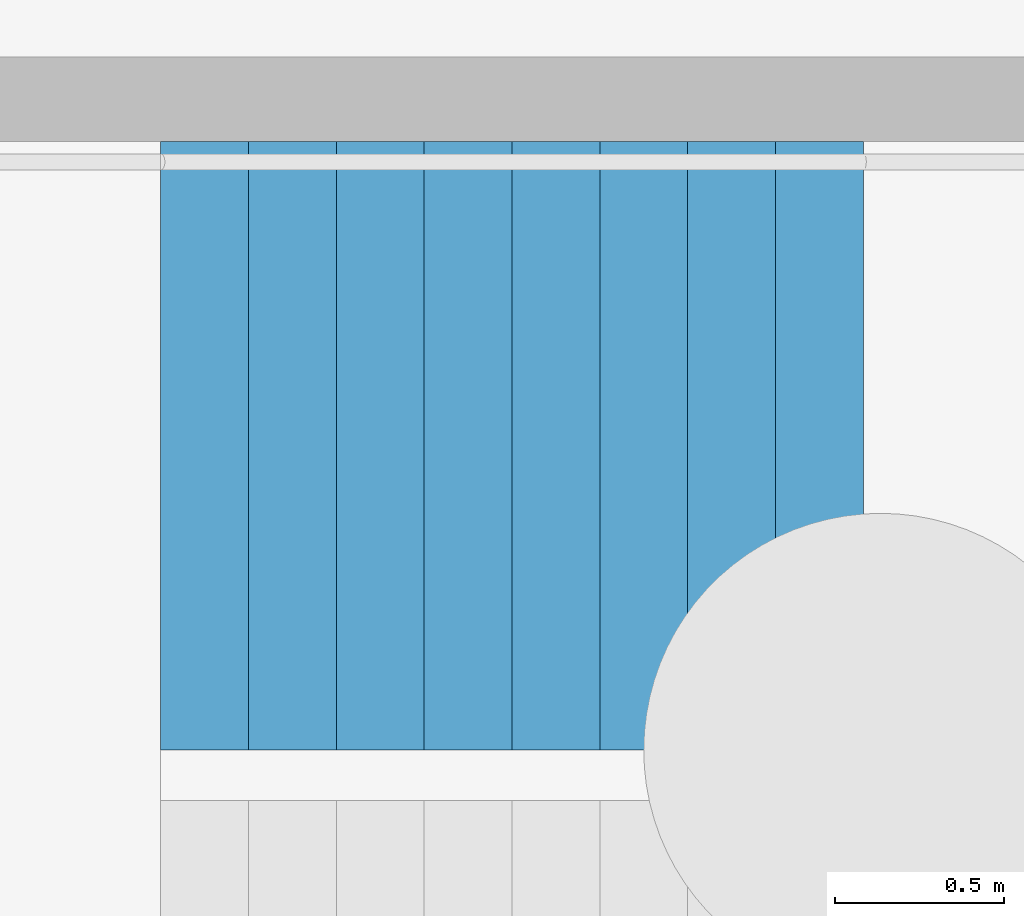
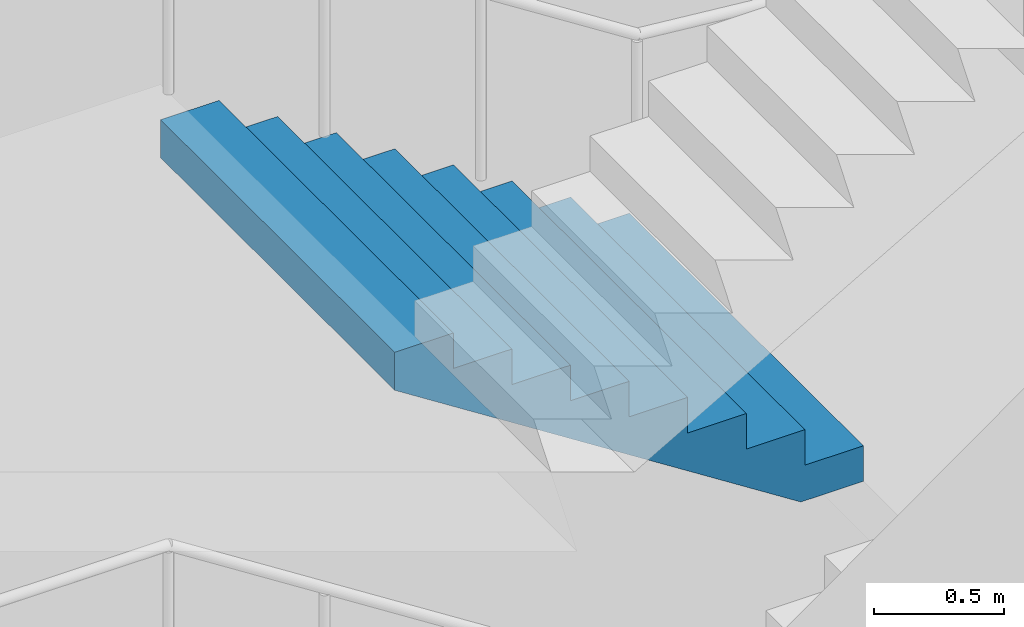
# One storey, part 57 of 113: 1 stair flight, 1 element without a shape of its own.
"""IFC4 building model written with IfcOpenShell, lengths in metres."""

from ifc_helpers import new_model, si_unit, direction, frame, origin, place, context, subcontext, project, spatial, triangles, material, type_object, element, aggregate, save


model = new_model("IFC4")

# Units and contexts
model_context = context("Model", 3, precision=1e-05, world=origin(), true_north=direction((0.0, 1.0)))
body_context = subcontext(model_context, "Body", "Model", "MODEL_VIEW")
ifc_project = project(units=[si_unit("LENGTHUNIT", "METRE"), si_unit("AREAUNIT", "SQUARE_METRE"), si_unit("VOLUMEUNIT", "CUBIC_METRE"), si_unit("PLANEANGLEUNIT", "RADIAN"), si_unit("MASSUNIT", "GRAM", prefix="KILO")], contexts=[model_context])

# Site, building, storey
site_placement = place(None, origin())
site = spatial("IfcSite", under=ifc_project, at=site_placement, CompositionType="ELEMENT")
building_placement = place(site_placement, origin())
building = spatial("IfcBuilding", under=site, at=building_placement, Name="Hakoniwa Tower and Hamabe Station Hall", CompositionType="ELEMENT")
storey_placement = place(building_placement, origin())
storey = spatial("IfcBuildingStorey", under=building, at=storey_placement, Name="L01", CompositionType="ELEMENT", Elevation=0.0)

# Stair, stair flight
ifc_material_1 = material(Name="Concrete C40", Category="concrete")
stair_type = type_object("IfcStairType", Name="ESCAPE STAIR 1800", PredefinedType="HALF_TURN_STAIR", material=ifc_material_1)
stair_placement = place(storey_placement, origin())
stair = element("IfcStair", 1, at=stair_placement, inside=storey, type_object=stair_type, Name="Escape stair ST-2 L01", PredefinedType="HALF_TURN_STAIR")
ifc_material_2 = material(Name="Concrete C40", Category="concrete")
stair_flight_type = type_object("IfcStairFlightType", Name="STAIR FLIGHT 1800", PredefinedType="STRAIGHT", material=ifc_material_2)
stair_flight_placement = place(storey_placement, frame((-23.39990234375, -4.64990234375, 6.0), z_axis=(0.0, 0.0, 1.0), x_axis=(-1.0, 0.0, 0.0)))
stair_flight = element("IfcStairFlight", 2, at=stair_flight_placement, type_object=stair_flight_type, Name="ST-2 flight 5", NumberOfRisers=9, NumberOfTreads=8, PredefinedType="STRAIGHT", RiserHeight=0.166666667, TreadLength=0.26, context=body_context, shape_type="Tessellation", body=[
    triangles([(0.0, 0.89990234375, 0.0), (0.260009765625, 0.89990234375, 0.0), (0.27783203125, 0.89990234375, 0.0), (0.52001953125, 0.89990234375, 0.1552734375), (0.780029296875, 0.89990234375, 0.322021484375), (1.0400390625, 0.89990234375, 0.488525390625), (1.300048828125, 0.89990234375, 0.6552734375), (1.56005859375, 0.89990234375, 0.822021484375), (1.820068359375, 0.89990234375, 0.988525390625), (2.080078125, 0.89990234375, 1.1552734375), (2.080078125, 0.89990234375, 1.333251953125), (1.820068359375, 0.89990234375, 1.333251953125), (1.820068359375, 0.89990234375, 1.166748046875), (1.56005859375, 0.89990234375, 1.166748046875), (1.56005859375, 0.89990234375, 1.0), (1.300048828125, 0.89990234375, 1.0), (1.300048828125, 0.89990234375, 0.833251953125), (1.0400390625, 0.89990234375, 0.833251953125), (1.0400390625, 0.89990234375, 0.666748046875), (0.780029296875, 0.89990234375, 0.666748046875), (0.780029296875, 0.89990234375, 0.5), (0.52001953125, 0.89990234375, 0.5), (0.52001953125, 0.89990234375, 0.333251953125), (0.27783203125, 0.89990234375, 0.333251953125), (0.260009765625, 0.89990234375, 0.333251953125), (0.260009765625, 0.89990234375, 0.166748046875), (0.0, 0.89990234375, 0.166748046875), (0.0, 0.06005859375, 0.0), (0.260009765625, 0.06005859375, 0.0), (0.27783203125, 0.06005859375, 0.0), (0.52001953125, 0.06005859375, 0.1552734375), (0.780029296875, 0.06005859375, 0.322021484375), (1.0400390625, 0.06005859375, 0.488525390625), (1.300048828125, 0.06005859375, 0.6552734375), (1.56005859375, 0.06005859375, 0.822021484375), (1.820068359375, 0.06005859375, 0.988525390625), (2.080078125, 0.06005859375, 1.1552734375), (2.080078125, 0.06005859375, 1.333251953125), (1.820068359375, 0.06005859375, 1.333251953125), (1.820068359375, 0.06005859375, 1.166748046875), (1.56005859375, 0.06005859375, 1.166748046875), (1.56005859375, 0.06005859375, 1.0), (1.300048828125, 0.06005859375, 1.0), (1.300048828125, 0.06005859375, 0.833251953125), (1.0400390625, 0.06005859375, 0.833251953125), (1.0400390625, 0.06005859375, 0.666748046875), (0.780029296875, 0.06005859375, 0.666748046875), (0.780029296875, 0.06005859375, 0.5), (0.52001953125, 0.06005859375, 0.5), (0.52001953125, 0.06005859375, 0.333251953125), (0.27783203125, 0.06005859375, 0.333251953125), (0.260009765625, 0.06005859375, 0.333251953125), (0.260009765625, 0.06005859375, 0.166748046875), (0.0, 0.06005859375, 0.166748046875), (0.0, 0.04296875, 0.0), (0.260009765625, 0.04296875, 0.0), (0.27783203125, 0.04296875, 0.0), (0.52001953125, 0.04296875, 0.1552734375), (0.780029296875, 0.04296875, 0.322021484375), (1.0400390625, 0.04296875, 0.488525390625), (1.300048828125, 0.04296875, 0.6552734375), (1.56005859375, 0.04296875, 0.822021484375), (1.820068359375, 0.04296875, 0.988525390625), (2.080078125, 0.04296875, 1.1552734375), (2.080078125, 0.04296875, 1.333251953125), (1.820068359375, 0.04296875, 1.333251953125), (1.820068359375, 0.04296875, 1.166748046875), (1.56005859375, 0.04296875, 1.166748046875), (1.56005859375, 0.04296875, 1.0), (1.300048828125, 0.04296875, 1.0), (1.300048828125, 0.04296875, 0.833251953125), (1.0400390625, 0.04296875, 0.833251953125), (1.0400390625, 0.04296875, 0.666748046875), (0.780029296875, 0.04296875, 0.666748046875), (0.780029296875, 0.04296875, 0.5), (0.52001953125, 0.04296875, 0.5), (0.52001953125, 0.04296875, 0.333251953125), (0.27783203125, 0.04296875, 0.333251953125), (0.260009765625, 0.04296875, 0.333251953125), (0.260009765625, 0.04296875, 0.166748046875), (0.0, 0.04296875, 0.166748046875), (0.0, 0.025634765625, 0.0), (0.260009765625, 0.025634765625, 0.0), (0.27783203125, 0.025634765625, 0.0), (0.52001953125, 0.025634765625, 0.1552734375), (0.780029296875, 0.025634765625, 0.322021484375), (1.0400390625, 0.025634765625, 0.488525390625), (1.300048828125, 0.025634765625, 0.6552734375), (1.56005859375, 0.025634765625, 0.822021484375), (1.820068359375, 0.025634765625, 0.988525390625), (2.080078125, 0.025634765625, 1.1552734375), (2.080078125, 0.025634765625, 1.333251953125), (1.820068359375, 0.025634765625, 1.333251953125), (1.820068359375, 0.025634765625, 1.166748046875), (1.56005859375, 0.025634765625, 1.166748046875), (1.56005859375, 0.025634765625, 1.0), (1.300048828125, 0.025634765625, 1.0), (1.300048828125, 0.025634765625, 0.833251953125), (1.0400390625, 0.025634765625, 0.833251953125), (1.0400390625, 0.025634765625, 0.666748046875), (0.780029296875, 0.025634765625, 0.666748046875), (0.780029296875, 0.025634765625, 0.5), (0.52001953125, 0.025634765625, 0.5), (0.52001953125, 0.025634765625, 0.333251953125), (0.27783203125, 0.025634765625, 0.333251953125), (0.260009765625, 0.025634765625, 0.333251953125), (0.260009765625, 0.025634765625, 0.166748046875), (0.0, 0.025634765625, 0.166748046875), (0.0, 0.008544921875, 0.0), (0.260009765625, 0.008544921875, 0.0), (0.27783203125, 0.008544921875, 0.0), (0.52001953125, 0.008544921875, 0.1552734375), (0.780029296875, 0.008544921875, 0.322021484375), (1.0400390625, 0.008544921875, 0.488525390625), (1.300048828125, 0.008544921875, 0.6552734375), (1.56005859375, 0.008544921875, 0.822021484375), (1.820068359375, 0.008544921875, 0.988525390625), (2.080078125, 0.008544921875, 1.1552734375), (2.080078125, 0.008544921875, 1.333251953125), (1.820068359375, 0.008544921875, 1.333251953125), (1.820068359375, 0.008544921875, 1.166748046875), (1.56005859375, 0.008544921875, 1.166748046875), (1.56005859375, 0.008544921875, 1.0), (1.300048828125, 0.008544921875, 1.0), (1.300048828125, 0.008544921875, 0.833251953125), (1.0400390625, 0.008544921875, 0.833251953125), (1.0400390625, 0.008544921875, 0.666748046875), (0.780029296875, 0.008544921875, 0.666748046875), (0.780029296875, 0.008544921875, 0.5), (0.52001953125, 0.008544921875, 0.5), (0.52001953125, 0.008544921875, 0.333251953125), (0.27783203125, 0.008544921875, 0.333251953125), (0.260009765625, 0.008544921875, 0.333251953125), (0.260009765625, 0.008544921875, 0.166748046875), (0.0, 0.008544921875, 0.166748046875), (0.0, -0.008544921875, 0.0), (0.260009765625, -0.008544921875, 0.0), (0.27783203125, -0.008544921875, 0.0), (0.52001953125, -0.008544921875, 0.1552734375), (0.780029296875, -0.008544921875, 0.322021484375), (1.0400390625, -0.008544921875, 0.488525390625), (1.300048828125, -0.008544921875, 0.6552734375), (1.56005859375, -0.008544921875, 0.822021484375), (1.820068359375, -0.008544921875, 0.988525390625), (2.080078125, -0.008544921875, 1.1552734375), (2.080078125, -0.008544921875, 1.333251953125), (1.820068359375, -0.008544921875, 1.333251953125), (1.820068359375, -0.008544921875, 1.166748046875), (1.56005859375, -0.008544921875, 1.166748046875), (1.56005859375, -0.008544921875, 1.0), (1.300048828125, -0.008544921875, 1.0), (1.300048828125, -0.008544921875, 0.833251953125), (1.0400390625, -0.008544921875, 0.833251953125), (1.0400390625, -0.008544921875, 0.666748046875), (0.780029296875, -0.008544921875, 0.666748046875), (0.780029296875, -0.008544921875, 0.5), (0.52001953125, -0.008544921875, 0.5), (0.52001953125, -0.008544921875, 0.333251953125), (0.27783203125, -0.008544921875, 0.333251953125), (0.260009765625, -0.008544921875, 0.333251953125), (0.260009765625, -0.008544921875, 0.166748046875), (0.0, -0.008544921875, 0.166748046875), (0.0, -0.025634765625, 0.0), (0.260009765625, -0.025634765625, 0.0), (0.27783203125, -0.025634765625, 0.0), (0.52001953125, -0.025634765625, 0.1552734375), (0.780029296875, -0.025634765625, 0.322021484375), (1.0400390625, -0.025634765625, 0.488525390625), (1.300048828125, -0.025634765625, 0.6552734375), (1.56005859375, -0.025634765625, 0.822021484375), (1.820068359375, -0.025634765625, 0.988525390625), (2.080078125, -0.025634765625, 1.1552734375), (2.080078125, -0.025634765625, 1.333251953125), (1.820068359375, -0.025634765625, 1.333251953125), (1.820068359375, -0.025634765625, 1.166748046875), (1.56005859375, -0.025634765625, 1.166748046875), (1.56005859375, -0.025634765625, 1.0), (1.300048828125, -0.025634765625, 1.0), (1.300048828125, -0.025634765625, 0.833251953125), (1.0400390625, -0.025634765625, 0.833251953125), (1.0400390625, -0.025634765625, 0.666748046875), (0.780029296875, -0.025634765625, 0.666748046875), (0.780029296875, -0.025634765625, 0.5), (0.52001953125, -0.025634765625, 0.5), (0.52001953125, -0.025634765625, 0.333251953125), (0.27783203125, -0.025634765625, 0.333251953125), (0.260009765625, -0.025634765625, 0.333251953125), (0.260009765625, -0.025634765625, 0.166748046875), (0.0, -0.025634765625, 0.166748046875), (0.0, -0.04296875, 0.0), (0.260009765625, -0.04296875, 0.0), (0.27783203125, -0.04296875, 0.0), (0.52001953125, -0.04296875, 0.1552734375), (0.780029296875, -0.04296875, 0.322021484375), (1.0400390625, -0.04296875, 0.488525390625), (1.300048828125, -0.04296875, 0.6552734375), (1.56005859375, -0.04296875, 0.822021484375), (1.820068359375, -0.04296875, 0.988525390625), (2.080078125, -0.04296875, 1.1552734375), (2.080078125, -0.04296875, 1.333251953125), (1.820068359375, -0.04296875, 1.333251953125), (1.820068359375, -0.04296875, 1.166748046875), (1.56005859375, -0.04296875, 1.166748046875), (1.56005859375, -0.04296875, 1.0), (1.300048828125, -0.04296875, 1.0), (1.300048828125, -0.04296875, 0.833251953125), (1.0400390625, -0.04296875, 0.833251953125), (1.0400390625, -0.04296875, 0.666748046875), (0.780029296875, -0.04296875, 0.666748046875), (0.780029296875, -0.04296875, 0.5), (0.52001953125, -0.04296875, 0.5), (0.52001953125, -0.04296875, 0.333251953125), (0.27783203125, -0.04296875, 0.333251953125), (0.260009765625, -0.04296875, 0.333251953125), (0.260009765625, -0.04296875, 0.166748046875), (0.0, -0.04296875, 0.166748046875), (0.0, -0.06005859375, 0.0), (0.260009765625, -0.06005859375, 0.0), (0.27783203125, -0.06005859375, 0.0), (0.52001953125, -0.06005859375, 0.1552734375), (0.780029296875, -0.06005859375, 0.322021484375), (1.0400390625, -0.06005859375, 0.488525390625), (1.300048828125, -0.06005859375, 0.6552734375), (1.56005859375, -0.06005859375, 0.822021484375), (1.820068359375, -0.06005859375, 0.988525390625), (2.080078125, -0.06005859375, 1.1552734375), (2.080078125, -0.06005859375, 1.333251953125), (1.820068359375, -0.06005859375, 1.333251953125), (1.820068359375, -0.06005859375, 1.166748046875), (1.56005859375, -0.06005859375, 1.166748046875), (1.56005859375, -0.06005859375, 1.0), (1.300048828125, -0.06005859375, 1.0), (1.300048828125, -0.06005859375, 0.833251953125), (1.0400390625, -0.06005859375, 0.833251953125), (1.0400390625, -0.06005859375, 0.666748046875), (0.780029296875, -0.06005859375, 0.666748046875), (0.780029296875, -0.06005859375, 0.5), (0.52001953125, -0.06005859375, 0.5), (0.52001953125, -0.06005859375, 0.333251953125), (0.27783203125, -0.06005859375, 0.333251953125), (0.260009765625, -0.06005859375, 0.333251953125), (0.260009765625, -0.06005859375, 0.166748046875), (0.0, -0.06005859375, 0.166748046875), (0.0, -0.89990234375, 0.0), (0.260009765625, -0.89990234375, 0.0), (0.27783203125, -0.89990234375, 0.0), (0.52001953125, -0.89990234375, 0.1552734375), (0.780029296875, -0.89990234375, 0.322021484375), (1.0400390625, -0.89990234375, 0.488525390625), (1.300048828125, -0.89990234375, 0.6552734375), (1.56005859375, -0.89990234375, 0.822021484375), (1.820068359375, -0.89990234375, 0.988525390625), (2.080078125, -0.89990234375, 1.1552734375), (2.080078125, -0.89990234375, 1.333251953125), (1.820068359375, -0.89990234375, 1.333251953125), (1.820068359375, -0.89990234375, 1.166748046875), (1.56005859375, -0.89990234375, 1.166748046875), (1.56005859375, -0.89990234375, 1.0), (1.300048828125, -0.89990234375, 1.0), (1.300048828125, -0.89990234375, 0.833251953125), (1.0400390625, -0.89990234375, 0.833251953125), (1.0400390625, -0.89990234375, 0.666748046875), (0.780029296875, -0.89990234375, 0.666748046875), (0.780029296875, -0.89990234375, 0.5), (0.52001953125, -0.89990234375, 0.5), (0.52001953125, -0.89990234375, 0.333251953125), (0.27783203125, -0.89990234375, 0.333251953125), (0.260009765625, -0.89990234375, 0.333251953125), (0.260009765625, -0.89990234375, 0.166748046875), (0.0, -0.89990234375, 0.166748046875)], [[2, 27, 26], [245, 269, 270], [2, 1, 27], [245, 270, 244], [3, 25, 24], [246, 267, 268], [3, 26, 25], [246, 268, 269], [3, 2, 26], [246, 269, 245], [4, 24, 23], [247, 266, 267], [4, 3, 24], [247, 267, 246], [5, 22, 21], [248, 264, 265], [5, 23, 22], [248, 265, 266], [5, 4, 23], [248, 266, 247], [6, 20, 19], [249, 262, 263], [6, 21, 20], [249, 263, 264], [6, 5, 21], [249, 264, 248], [7, 18, 17], [250, 260, 261], [7, 19, 18], [250, 261, 262], [7, 6, 19], [250, 262, 249], [8, 16, 15], [251, 258, 259], [8, 17, 16], [251, 259, 260], [8, 7, 17], [251, 260, 250], [9, 14, 13], [252, 256, 257], [9, 15, 14], [252, 257, 258], [9, 8, 15], [252, 258, 251], [10, 12, 11], [253, 254, 255], [10, 13, 12], [253, 255, 256], [10, 9, 13], [253, 256, 252], [1, 2, 29], [1, 29, 28], [28, 29, 56], [28, 56, 55], [55, 56, 83], [55, 83, 82], [82, 83, 110], [82, 110, 109], [109, 110, 137], [109, 137, 136], [136, 137, 164], [136, 164, 163], [163, 164, 191], [163, 191, 190], [190, 191, 218], [190, 218, 217], [217, 218, 245], [217, 245, 244], [2, 3, 30], [2, 30, 29], [29, 30, 57], [29, 57, 56], [56, 57, 84], [56, 84, 83], [83, 84, 111], [83, 111, 110], [110, 111, 138], [110, 138, 137], [137, 138, 165], [137, 165, 164], [164, 165, 192], [164, 192, 191], [191, 192, 219], [191, 219, 218], [218, 219, 246], [218, 246, 245], [3, 4, 31], [3, 31, 30], [30, 31, 58], [30, 58, 57], [57, 58, 85], [57, 85, 84], [84, 85, 112], [84, 112, 111], [111, 112, 139], [111, 139, 138], [138, 139, 166], [138, 166, 165], [165, 166, 193], [165, 193, 192], [192, 193, 220], [192, 220, 219], [219, 220, 247], [219, 247, 246], [4, 5, 32], [4, 32, 31], [31, 32, 59], [31, 59, 58], [58, 59, 86], [58, 86, 85], [85, 86, 113], [85, 113, 112], [112, 113, 140], [112, 140, 139], [139, 140, 167], [139, 167, 166], [166, 167, 194], [166, 194, 193], [193, 194, 221], [193, 221, 220], [220, 221, 248], [220, 248, 247], [5, 6, 33], [5, 33, 32], [32, 33, 60], [32, 60, 59], [59, 60, 87], [59, 87, 86], [86, 87, 114], [86, 114, 113], [113, 114, 141], [113, 141, 140], [140, 141, 168], [140, 168, 167], [167, 168, 195], [167, 195, 194], [194, 195, 222], [194, 222, 221], [221, 222, 249], [221, 249, 248], [6, 7, 34], [6, 34, 33], [33, 34, 61], [33, 61, 60], [60, 61, 88], [60, 88, 87], [87, 88, 115], [87, 115, 114], [114, 115, 142], [114, 142, 141], [141, 142, 169], [141, 169, 168], [168, 169, 196], [168, 196, 195], [195, 196, 223], [195, 223, 222], [222, 223, 250], [222, 250, 249], [7, 8, 35], [7, 35, 34], [34, 35, 62], [34, 62, 61], [61, 62, 89], [61, 89, 88], [88, 89, 116], [88, 116, 115], [115, 116, 143], [115, 143, 142], [142, 143, 170], [142, 170, 169], [169, 170, 197], [169, 197, 196], [196, 197, 224], [196, 224, 223], [223, 224, 251], [223, 251, 250], [8, 9, 36], [8, 36, 35], [35, 36, 63], [35, 63, 62], [62, 63, 90], [62, 90, 89], [89, 90, 117], [89, 117, 116], [116, 117, 144], [116, 144, 143], [143, 144, 171], [143, 171, 170], [170, 171, 198], [170, 198, 197], [197, 198, 225], [197, 225, 224], [224, 225, 252], [224, 252, 251], [9, 10, 37], [9, 37, 36], [36, 37, 64], [36, 64, 63], [63, 64, 91], [63, 91, 90], [90, 91, 118], [90, 118, 117], [117, 118, 145], [117, 145, 144], [144, 145, 172], [144, 172, 171], [171, 172, 199], [171, 199, 198], [198, 199, 226], [198, 226, 225], [225, 226, 253], [225, 253, 252], [10, 11, 38], [10, 38, 37], [37, 38, 65], [37, 65, 64], [64, 65, 92], [64, 92, 91], [91, 92, 119], [91, 119, 118], [118, 119, 146], [118, 146, 145], [145, 146, 173], [145, 173, 172], [172, 173, 200], [172, 200, 199], [199, 200, 227], [199, 227, 226], [226, 227, 254], [226, 254, 253], [11, 12, 39], [11, 39, 38], [38, 39, 66], [38, 66, 65], [65, 66, 93], [65, 93, 92], [92, 93, 120], [92, 120, 119], [119, 120, 147], [119, 147, 146], [146, 147, 174], [146, 174, 173], [173, 174, 201], [173, 201, 200], [200, 201, 228], [200, 228, 227], [227, 228, 255], [227, 255, 254], [12, 13, 40], [12, 40, 39], [39, 40, 67], [39, 67, 66], [66, 67, 94], [66, 94, 93], [93, 94, 121], [93, 121, 120], [120, 121, 148], [120, 148, 147], [147, 148, 175], [147, 175, 174], [174, 175, 202], [174, 202, 201], [201, 202, 229], [201, 229, 228], [228, 229, 256], [228, 256, 255], [13, 14, 41], [13, 41, 40], [40, 41, 68], [40, 68, 67], [67, 68, 95], [67, 95, 94], [94, 95, 122], [94, 122, 121], [121, 122, 149], [121, 149, 148], [148, 149, 176], [148, 176, 175], [175, 176, 203], [175, 203, 202], [202, 203, 230], [202, 230, 229], [229, 230, 257], [229, 257, 256], [14, 15, 42], [14, 42, 41], [41, 42, 69], [41, 69, 68], [68, 69, 96], [68, 96, 95], [95, 96, 123], [95, 123, 122], [122, 123, 150], [122, 150, 149], [149, 150, 177], [149, 177, 176], [176, 177, 204], [176, 204, 203], [203, 204, 231], [203, 231, 230], [230, 231, 258], [230, 258, 257], [15, 16, 43], [15, 43, 42], [42, 43, 70], [42, 70, 69], [69, 70, 97], [69, 97, 96], [96, 97, 124], [96, 124, 123], [123, 124, 151], [123, 151, 150], [150, 151, 178], [150, 178, 177], [177, 178, 205], [177, 205, 204], [204, 205, 232], [204, 232, 231], [231, 232, 259], [231, 259, 258], [16, 17, 44], [16, 44, 43], [43, 44, 71], [43, 71, 70], [70, 71, 98], [70, 98, 97], [97, 98, 125], [97, 125, 124], [124, 125, 152], [124, 152, 151], [151, 152, 179], [151, 179, 178], [178, 179, 206], [178, 206, 205], [205, 206, 233], [205, 233, 232], [232, 233, 260], [232, 260, 259], [17, 18, 45], [17, 45, 44], [44, 45, 72], [44, 72, 71], [71, 72, 99], [71, 99, 98], [98, 99, 126], [98, 126, 125], [125, 126, 153], [125, 153, 152], [152, 153, 180], [152, 180, 179], [179, 180, 207], [179, 207, 206], [206, 207, 234], [206, 234, 233], [233, 234, 261], [233, 261, 260], [18, 19, 46], [18, 46, 45], [45, 46, 73], [45, 73, 72], [72, 73, 100], [72, 100, 99], [99, 100, 127], [99, 127, 126], [126, 127, 154], [126, 154, 153], [153, 154, 181], [153, 181, 180], [180, 181, 208], [180, 208, 207], [207, 208, 235], [207, 235, 234], [234, 235, 262], [234, 262, 261], [19, 20, 47], [19, 47, 46], [46, 47, 74], [46, 74, 73], [73, 74, 101], [73, 101, 100], [100, 101, 128], [100, 128, 127], [127, 128, 155], [127, 155, 154], [154, 155, 182], [154, 182, 181], [181, 182, 209], [181, 209, 208], [208, 209, 236], [208, 236, 235], [235, 236, 263], [235, 263, 262], [20, 21, 48], [20, 48, 47], [47, 48, 75], [47, 75, 74], [74, 75, 102], [74, 102, 101], [101, 102, 129], [101, 129, 128], [128, 129, 156], [128, 156, 155], [155, 156, 183], [155, 183, 182], [182, 183, 210], [182, 210, 209], [209, 210, 237], [209, 237, 236], [236, 237, 264], [236, 264, 263], [21, 22, 49], [21, 49, 48], [48, 49, 76], [48, 76, 75], [75, 76, 103], [75, 103, 102], [102, 103, 130], [102, 130, 129], [129, 130, 157], [129, 157, 156], [156, 157, 184], [156, 184, 183], [183, 184, 211], [183, 211, 210], [210, 211, 238], [210, 238, 237], [237, 238, 265], [237, 265, 264], [22, 23, 50], [22, 50, 49], [49, 50, 77], [49, 77, 76], [76, 77, 104], [76, 104, 103], [103, 104, 131], [103, 131, 130], [130, 131, 158], [130, 158, 157], [157, 158, 185], [157, 185, 184], [184, 185, 212], [184, 212, 211], [211, 212, 239], [211, 239, 238], [238, 239, 266], [238, 266, 265], [23, 24, 51], [23, 51, 50], [50, 51, 78], [50, 78, 77], [77, 78, 105], [77, 105, 104], [104, 105, 132], [104, 132, 131], [131, 132, 159], [131, 159, 158], [158, 159, 186], [158, 186, 185], [185, 186, 213], [185, 213, 212], [212, 213, 240], [212, 240, 239], [239, 240, 267], [239, 267, 266], [24, 25, 52], [24, 52, 51], [51, 52, 79], [51, 79, 78], [78, 79, 106], [78, 106, 105], [105, 106, 133], [105, 133, 132], [132, 133, 160], [132, 160, 159], [159, 160, 187], [159, 187, 186], [186, 187, 214], [186, 214, 213], [213, 214, 241], [213, 241, 240], [240, 241, 268], [240, 268, 267], [25, 26, 53], [25, 53, 52], [52, 53, 80], [52, 80, 79], [79, 80, 107], [79, 107, 106], [106, 107, 134], [106, 134, 133], [133, 134, 161], [133, 161, 160], [160, 161, 188], [160, 188, 187], [187, 188, 215], [187, 215, 214], [214, 215, 242], [214, 242, 241], [241, 242, 269], [241, 269, 268], [26, 27, 54], [26, 54, 53], [53, 54, 81], [53, 81, 80], [80, 81, 108], [80, 108, 107], [107, 108, 135], [107, 135, 134], [134, 135, 162], [134, 162, 161], [161, 162, 189], [161, 189, 188], [188, 189, 216], [188, 216, 215], [215, 216, 243], [215, 243, 242], [242, 243, 270], [242, 270, 269], [27, 1, 28], [27, 28, 54], [54, 28, 55], [54, 55, 81], [81, 55, 82], [81, 82, 108], [108, 82, 109], [108, 109, 135], [135, 109, 136], [135, 136, 162], [162, 136, 163], [162, 163, 189], [189, 163, 190], [189, 190, 216], [216, 190, 217], [216, 217, 243], [243, 217, 244], [243, 244, 270]], closed=True),
])
aggregate(stair, [stair_flight])

save(model, "model.ifc")
